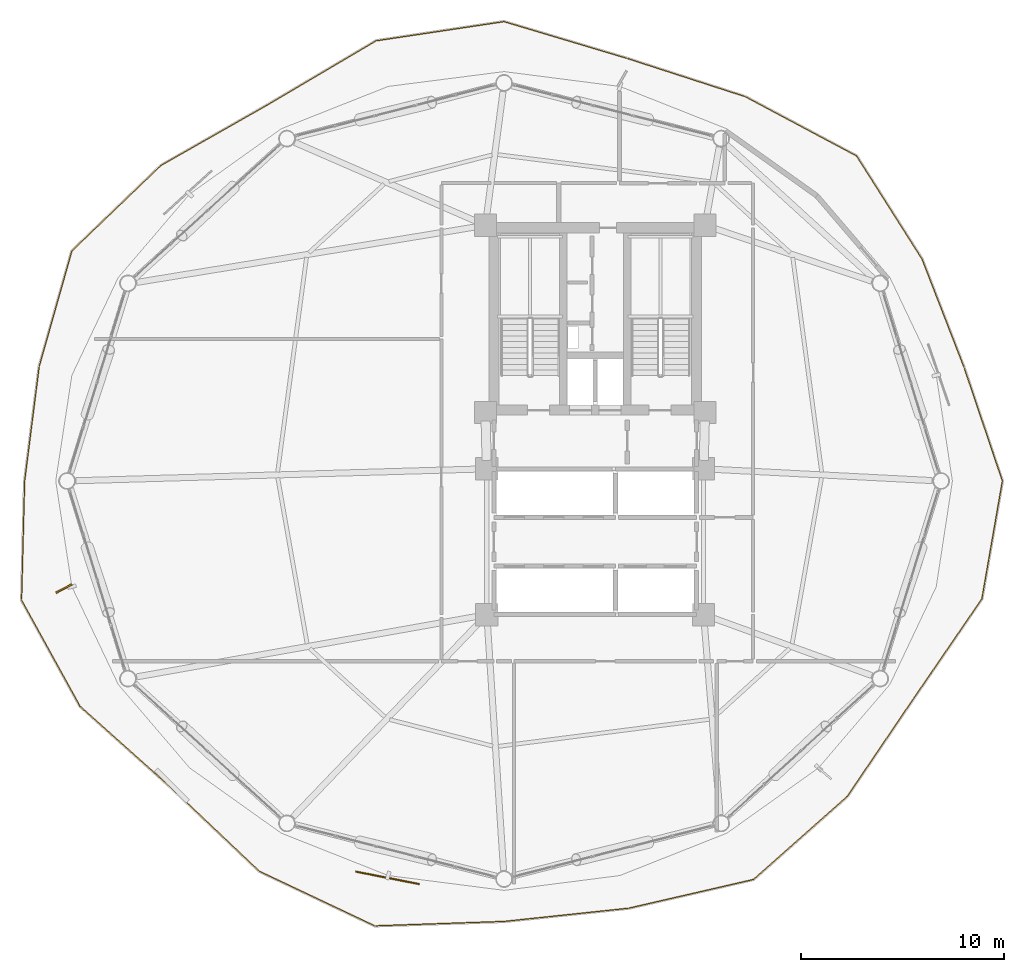
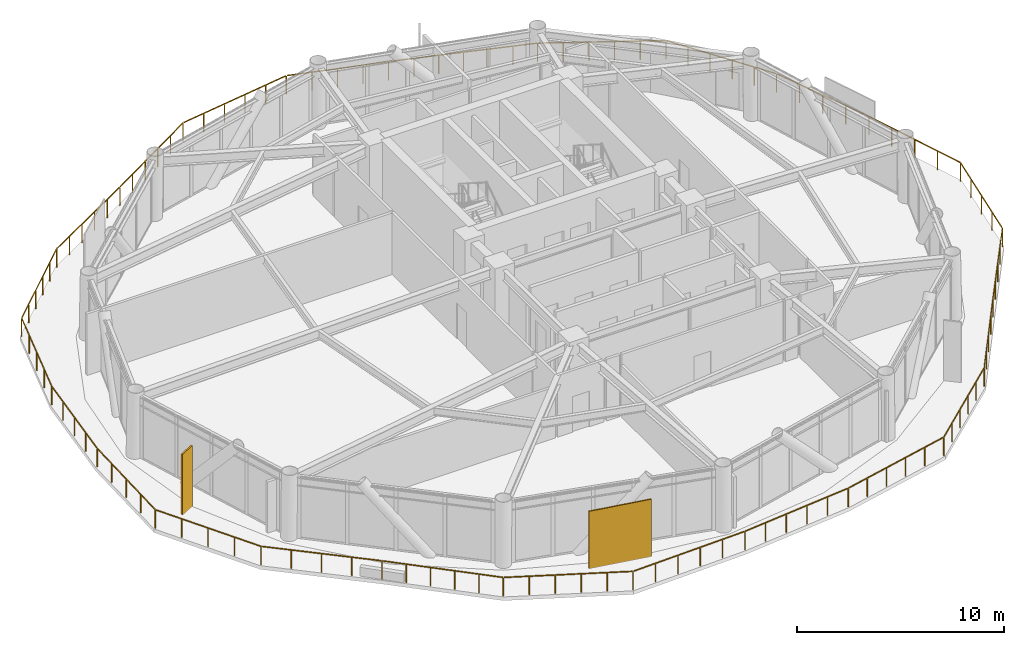
# One storey, part 22 of 24: 2 shading devices, 1 railing.
"""IFC4 building model written with IfcOpenShell, lengths in metres."""

from ifc_helpers import new_model, si_unit, direction, frame, origin, origin_2d, place, context, subcontext, project, spatial, rectangle, extrude, source, transform, mapped, material, type_object, type_shapes, element, save


model = new_model("IFC4")

# Units and contexts
model_context = context("Model", 3, precision=1e-05, world=origin(), true_north=direction((0.0, 1.0)))
body_context = subcontext(model_context, "Body", "Model", "MODEL_VIEW")
ifc_project = project(units=[si_unit("LENGTHUNIT", "METRE"), si_unit("AREAUNIT", "SQUARE_METRE"), si_unit("VOLUMEUNIT", "CUBIC_METRE"), si_unit("PLANEANGLEUNIT", "RADIAN"), si_unit("MASSUNIT", "GRAM", prefix="KILO")], contexts=[model_context])

# Site, building, storey
site_placement = place(None, origin())
site = spatial("IfcSite", under=ifc_project, at=site_placement, CompositionType="ELEMENT")
building_placement = place(site_placement, origin())
building = spatial("IfcBuilding", under=site, at=building_placement, Name="Varnakorn Sky Granary", CompositionType="ELEMENT")
storey_placement = place(building_placement, frame((0.0, 0.0, 103.199951171875)))
storey = spatial("IfcBuildingStorey", under=building, at=storey_placement, Name="L25", CompositionType="ELEMENT", Elevation=103.199951171875)

# Railing
ifc_material = material(Name="Anodised Bronze Aluminium Alloy 6063-T6", Category="aluminium")
railing_type = type_object("IfcRailingType", Name="RL-BAL-1120", PredefinedType="BALUSTRADE", material=ifc_material)
railing_placement = place(storey_placement, frame((23.099609375, 0.0, 0.0)))
element("IfcRailing", 1, at=railing_placement, inside=storey, type_object=railing_type, Name="Wavy Growing Deck Guard Balustrade L25", PredefinedType="BALUSTRADE", context=body_context, shape_type="SweptSolid", body=[
    extrude(rectangle(XDim=0.048095703125, YDim=0.048095703125, at=origin_2d()), frame((-0.009033203125, 0.026611328125, 1.09619140625), z_axis=(-0.319515788757, 0.947580952075, 0.0), x_axis=(-0.947580952075, -0.319515788757, 0.0)), (0.0, 0.0, 1.0), 5.843505859375),
    extrude(rectangle(XDim=0.048095703125, YDim=0.048095703125, at=origin_2d()), frame((-1.89501953125, 5.616455078125, 1.09619140625), z_axis=(-0.36168442428, 0.932300583092, 0.0), x_axis=(-0.932300583092, -0.36168442428, 0.0)), (0.0, 0.0, 1.0), 5.69775390625),
    extrude(rectangle(XDim=0.048095703125, YDim=0.048095703125, at=origin_2d()), frame((-3.98095703125, 10.978271484375, 1.09619140625), z_axis=(-0.535848303408, 0.844314275454, 0.0), x_axis=(-0.844314275454, -0.535848303408, 0.0)), (0.0, 0.0, 1.0), 5.97509765625),
    extrude(rectangle(XDim=0.048095703125, YDim=0.048095703125, at=origin_2d()), frame((-7.222412109375, 16.059814453125, 1.09619140625), z_axis=(-0.882608104075, 0.470109492162, 0.0), x_axis=(-0.470109492162, -0.882608104075, 0.0)), (0.0, 0.0, 1.0), 6.1650390625),
    extrude(rectangle(XDim=0.048095703125, YDim=0.048095703125, at=origin_2d()), frame((-12.715087890625, 18.979736328125, 1.09619140625), z_axis=(-0.951351417743, 0.308107903111, 0.0), x_axis=(-0.308107903111, -0.951351417743, 0.0)), (0.0, 0.0, 1.0), 6.068359375),
    extrude(rectangle(XDim=0.048095703125, YDim=0.048095703125, at=origin_2d()), frame((-18.541748046875, 20.8662109375, 1.09619140625), z_axis=(-0.958120981565, 0.286363727949, 0.0), x_axis=(-0.286363727949, -0.958120981565, 0.0)), (0.0, 0.0, 1.0), 6.294677734375),
    extrude(rectangle(XDim=0.048095703125, YDim=0.048095703125, at=origin_2d()), frame((-24.627197265625, 22.672607421875, 1.09619140625), z_axis=(-0.988935511961, -0.148346058868, 0.0), x_axis=(0.148346058868, -0.988935511961, 0.0)), (0.0, 0.0, 1.0), 6.332763671875),
    extrude(rectangle(XDim=0.048095703125, YDim=0.048095703125, at=origin_2d()), frame((-30.94189453125, 21.71484375, 1.09619140625), z_axis=(-0.861263762866, -0.508158174956, 0.0), x_axis=(0.508158174956, -0.861263762866, 0.0)), (0.0, 0.0, 1.0), 6.166748046875),
    extrude(rectangle(XDim=0.048095703125, YDim=0.048095703125, at=origin_2d()), frame((-36.301513671875, 18.552978515625, 1.09619140625), z_axis=(-0.86947035163, -0.493985128962, 0.0), x_axis=(0.493985128962, -0.86947035163, 0.0)), (0.0, 0.0, 1.0), 5.990966796875),
    extrude(rectangle(XDim=0.048095703125, YDim=0.048095703125, at=origin_2d()), frame((-41.554931640625, 15.560546875, 1.09619140625), z_axis=(-0.721513749871, -0.692400107414, 0.0), x_axis=(0.692400107414, -0.721513749871, 0.0)), (0.0, 0.0, 1.0), 6.04052734375),
    extrude(rectangle(XDim=0.048095703125, YDim=0.048095703125, at=origin_2d()), frame((-45.94091796875, 11.331787109375, 1.09619140625), z_axis=(-0.272229684903, -0.962232299737, 0.0), x_axis=(0.962232299737, -0.272229684903, 0.0)), (0.0, 0.0, 1.0), 5.873779296875),
    extrude(rectangle(XDim=0.048095703125, YDim=0.048095703125, at=origin_2d()), frame((-47.551025390625, 5.625, 1.09619140625), z_axis=(-0.126048834705, -0.992024037647, 0.0), x_axis=(0.992024037647, -0.126048834705, 0.0)), (0.0, 0.0, 1.0), 5.642333984375),
    extrude(rectangle(XDim=0.048095703125, YDim=0.048095703125, at=origin_2d()), frame((-48.2666015625, -0.028076171875, 1.09619140625), z_axis=(-0.02591414797, -0.999664172077, 0.0), x_axis=(0.999664172077, -0.02591414797, 0.0)), (0.0, 0.0, 1.0), 5.832275390625),
    extrude(rectangle(XDim=0.048095703125, YDim=0.048095703125, at=origin_2d()), frame((-48.405029296875, -5.91064453125, 1.09619140625), z_axis=(0.482920924261, -0.875663965749, 0.0), x_axis=(0.875663965749, 0.482920924261, 0.0)), (0.0, 0.0, 1.0), 5.92724609375),
    extrude(rectangle(XDim=0.048095703125, YDim=0.048095703125, at=origin_2d()), frame((-45.508056640625, -11.14404296875, 1.09619140625), z_axis=(0.74555602561, -0.666442955306, 0.0), x_axis=(0.666442955306, 0.74555602561, 0.0)), (0.0, 0.0, 1.0), 5.927734375),
    extrude(rectangle(XDim=0.048095703125, YDim=0.048095703125, at=origin_2d()), frame((-41.047607421875, -15.132568359375, 1.09619140625), z_axis=(0.726121516587, -0.687566391812, 0.0), x_axis=(0.687566391812, 0.726121516587, 0.0)), (0.0, 0.0, 1.0), 5.98486328125),
    extrude(rectangle(XDim=0.048095703125, YDim=0.048095703125, at=origin_2d()), frame((-36.656005859375, -19.27880859375, 1.09619140625), z_axis=(0.904037178192, -0.427453834286, 0.0), x_axis=(0.427453834286, 0.904037178192, 0.0)), (0.0, 0.0, 1.0), 6.25),
    extrude(rectangle(XDim=0.048095703125, YDim=0.048095703125, at=origin_2d()), frame((-30.952392578125, -21.96142578125, 1.09619140625), z_axis=(0.999411572191, 0.034300282379, 0.0), x_axis=(-0.034300282379, 0.999411572191, 0.0)), (0.0, 0.0, 1.0), 6.32861328125),
    extrude(rectangle(XDim=0.048095703125, YDim=0.048095703125, at=origin_2d()), frame((-24.57177734375, -21.740478515625, 1.09619140625), z_axis=(0.994424655599, 0.105449534551, 0.0), x_axis=(-0.105449534551, 0.994424655599, 0.0)), (0.0, 0.0, 1.0), 6.125732421875),
    extrude(rectangle(XDim=0.048095703125, YDim=0.048095703125, at=origin_2d()), frame((-18.425048828125, -21.085205078125, 1.09619140625), z_axis=(0.974493809375, 0.224414383429, 0.0), x_axis=(-0.224414383429, 0.974493809375, 0.0)), (0.0, 0.0, 1.0), 6.2734375),
    extrude(rectangle(XDim=0.048095703125, YDim=0.048095703125, at=origin_2d()), frame((-12.263427734375, -19.652587890625, 1.09619140625), z_axis=(0.7486347444, 0.662982669062, 0.0), x_axis=(-0.662982669062, 0.7486347444, 0.0)), (0.0, 0.0, 1.0), 6.114990234375),
    extrude(rectangle(XDim=0.048095703125, YDim=0.048095703125, at=origin_2d()), frame((-7.64892578125, -15.556640625, 1.09619140625), z_axis=(0.56120949372, 0.827673790909, 0.0), x_axis=(-0.827673790909, 0.56120949372, 0.0)), (0.0, 0.0, 1.0), 5.814208984375),
    extrude(rectangle(XDim=0.048095703125, YDim=0.048095703125, at=origin_2d()), frame((-4.354248046875, -10.697998046875, 1.09619140625), z_axis=(0.56527341339, 0.824903611408, 0.0), x_axis=(-0.824903611408, 0.56527341339, 0.0)), (0.0, 0.0, 1.0), 5.88134765625),
    extrude(rectangle(XDim=0.048095703125, YDim=0.048095703125, at=origin_2d()), frame((-1.009033203125, -5.7958984375, 1.09619140625), z_axis=(0.171527675351, 0.985179301746, 0.0), x_axis=(-0.985179301746, 0.171527675351, 0.0)), (0.0, 0.0, 1.0), 5.85498046875),
    extrude(rectangle(XDim=0.0419921875, YDim=0.0419921875, at=origin_2d()), origin(), (0.0, 0.0, 1.0), 1.068115234375),
    extrude(rectangle(XDim=0.0419921875, YDim=0.0419921875, at=origin_2d()), frame((-0.47119140625, 1.3974609375, 0.0)), (0.0, 0.0, 1.0), 1.068115234375),
    extrude(rectangle(XDim=0.0419921875, YDim=0.0419921875, at=origin_2d()), frame((-0.9423828125, 2.795166015625, 0.0)), (0.0, 0.0, 1.0), 1.068115234375),
    extrude(rectangle(XDim=0.0419921875, YDim=0.0419921875, at=origin_2d()), frame((-1.413818359375, 4.19287109375, 0.0)), (0.0, 0.0, 1.0), 1.068115234375),
    extrude(rectangle(XDim=0.0419921875, YDim=0.0419921875, at=origin_2d()), frame((-1.885009765625, 5.59033203125, 0.0)), (0.0, 0.0, 1.0), 1.068115234375),
    extrude(rectangle(XDim=0.0419921875, YDim=0.0419921875, at=origin_2d()), frame((-2.4052734375, 6.931396484375, 0.0)), (0.0, 0.0, 1.0), 1.068115234375),
    extrude(rectangle(XDim=0.0419921875, YDim=0.0419921875, at=origin_2d()), frame((-2.925537109375, 8.2724609375, 0.0)), (0.0, 0.0, 1.0), 1.068115234375),
    extrude(rectangle(XDim=0.0419921875, YDim=0.0419921875, at=origin_2d()), frame((-3.44580078125, 9.613525390625, 0.0)), (0.0, 0.0, 1.0), 1.068115234375),
    extrude(rectangle(XDim=0.0419921875, YDim=0.0419921875, at=origin_2d()), frame((-3.966064453125, 10.95458984375, 0.0)), (0.0, 0.0, 1.0), 1.068115234375),
    extrude(rectangle(XDim=0.0419921875, YDim=0.0419921875, at=origin_2d()), frame((-4.6123046875, 11.972900390625, 0.0)), (0.0, 0.0, 1.0), 1.068115234375),
    extrude(rectangle(XDim=0.0419921875, YDim=0.0419921875, at=origin_2d()), frame((-5.2587890625, 12.991455078125, 0.0)), (0.0, 0.0, 1.0), 1.068115234375),
    extrude(rectangle(XDim=0.0419921875, YDim=0.0419921875, at=origin_2d()), frame((-5.905029296875, 14.009765625, 0.0)), (0.0, 0.0, 1.0), 1.068115234375),
    extrude(rectangle(XDim=0.0419921875, YDim=0.0419921875, at=origin_2d()), frame((-6.551513671875, 15.0283203125, 0.0)), (0.0, 0.0, 1.0), 1.068115234375),
    extrude(rectangle(XDim=0.0419921875, YDim=0.0419921875, at=origin_2d()), frame((-7.19775390625, 16.046630859375, 0.0)), (0.0, 0.0, 1.0), 1.068115234375),
    extrude(rectangle(XDim=0.0419921875, YDim=0.0419921875, at=origin_2d()), frame((-8.2958984375, 16.631591796875, 0.0)), (0.0, 0.0, 1.0), 1.068115234375),
    extrude(rectangle(XDim=0.0419921875, YDim=0.0419921875, at=origin_2d()), frame((-9.39404296875, 17.216552734375, 0.0)), (0.0, 0.0, 1.0), 1.068115234375),
    extrude(rectangle(XDim=0.0419921875, YDim=0.0419921875, at=origin_2d()), frame((-10.4921875, 17.80126953125, 0.0)), (0.0, 0.0, 1.0), 1.068115234375),
    extrude(rectangle(XDim=0.0419921875, YDim=0.0419921875, at=origin_2d()), frame((-11.59033203125, 18.38623046875, 0.0)), (0.0, 0.0, 1.0), 1.068115234375),
    extrude(rectangle(XDim=0.0419921875, YDim=0.0419921875, at=origin_2d()), frame((-12.6884765625, 18.97119140625, 0.0)), (0.0, 0.0, 1.0), 1.068115234375),
    extrude(rectangle(XDim=0.0419921875, YDim=0.0419921875, at=origin_2d()), frame((-13.853759765625, 19.3486328125, 0.0)), (0.0, 0.0, 1.0), 1.068115234375),
    extrude(rectangle(XDim=0.0419921875, YDim=0.0419921875, at=origin_2d()), frame((-15.01904296875, 19.72607421875, 0.0)), (0.0, 0.0, 1.0), 1.068115234375),
    extrude(rectangle(XDim=0.0419921875, YDim=0.0419921875, at=origin_2d()), frame((-16.184326171875, 20.103271484375, 0.0)), (0.0, 0.0, 1.0), 1.068115234375),
    extrude(rectangle(XDim=0.0419921875, YDim=0.0419921875, at=origin_2d()), frame((-17.349609375, 20.480712890625, 0.0)), (0.0, 0.0, 1.0), 1.068115234375),
    extrude(rectangle(XDim=0.0419921875, YDim=0.0419921875, at=origin_2d()), frame((-18.514892578125, 20.858154296875, 0.0)), (0.0, 0.0, 1.0), 1.068115234375),
    extrude(rectangle(XDim=0.0419921875, YDim=0.0419921875, at=origin_2d()), frame((-19.73193359375, 21.221923828125, 0.0)), (0.0, 0.0, 1.0), 1.068115234375),
    extrude(rectangle(XDim=0.0419921875, YDim=0.0419921875, at=origin_2d()), frame((-20.94873046875, 21.585693359375, 0.0)), (0.0, 0.0, 1.0), 1.068115234375),
    extrude(rectangle(XDim=0.0419921875, YDim=0.0419921875, at=origin_2d()), frame((-22.165771484375, 21.94921875, 0.0)), (0.0, 0.0, 1.0), 1.068115234375),
    extrude(rectangle(XDim=0.0419921875, YDim=0.0419921875, at=origin_2d()), frame((-23.382568359375, 22.31298828125, 0.0)), (0.0, 0.0, 1.0), 1.068115234375),
    extrude(rectangle(XDim=0.0419921875, YDim=0.0419921875, at=origin_2d()), frame((-24.599609375, 22.6767578125, 0.0)), (0.0, 0.0, 1.0), 1.068115234375),
    extrude(rectangle(XDim=0.0419921875, YDim=0.0419921875, at=origin_2d()), frame((-25.86328125, 22.4873046875, 0.0)), (0.0, 0.0, 1.0), 1.068115234375),
    extrude(rectangle(XDim=0.0419921875, YDim=0.0419921875, at=origin_2d()), frame((-27.126953125, 22.297607421875, 0.0)), (0.0, 0.0, 1.0), 1.068115234375),
    extrude(rectangle(XDim=0.0419921875, YDim=0.0419921875, at=origin_2d()), frame((-28.390380859375, 22.108154296875, 0.0)), (0.0, 0.0, 1.0), 1.068115234375),
    extrude(rectangle(XDim=0.0419921875, YDim=0.0419921875, at=origin_2d()), frame((-29.654052734375, 21.91845703125, 0.0)), (0.0, 0.0, 1.0), 1.068115234375),
    extrude(rectangle(XDim=0.0419921875, YDim=0.0419921875, at=origin_2d()), frame((-30.917724609375, 21.72900390625, 0.0)), (0.0, 0.0, 1.0), 1.068115234375),
    extrude(rectangle(XDim=0.0419921875, YDim=0.0419921875, at=origin_2d()), frame((-31.989501953125, 21.0966796875, 0.0)), (0.0, 0.0, 1.0), 1.068115234375),
    extrude(rectangle(XDim=0.0419921875, YDim=0.0419921875, at=origin_2d()), frame((-33.0615234375, 20.464111328125, 0.0)), (0.0, 0.0, 1.0), 1.068115234375),
    extrude(rectangle(XDim=0.0419921875, YDim=0.0419921875, at=origin_2d()), frame((-34.13330078125, 19.831787109375, 0.0)), (0.0, 0.0, 1.0), 1.068115234375),
    extrude(rectangle(XDim=0.0419921875, YDim=0.0419921875, at=origin_2d()), frame((-35.205322265625, 19.19921875, 0.0)), (0.0, 0.0, 1.0), 1.068115234375),
    extrude(rectangle(XDim=0.0419921875, YDim=0.0419921875, at=origin_2d()), frame((-36.277099609375, 18.56689453125, 0.0)), (0.0, 0.0, 1.0), 1.068115234375),
    extrude(rectangle(XDim=0.0419921875, YDim=0.0419921875, at=origin_2d()), frame((-37.32861328125, 17.969482421875, 0.0)), (0.0, 0.0, 1.0), 1.068115234375),
    extrude(rectangle(XDim=0.0419921875, YDim=0.0419921875, at=origin_2d()), frame((-38.380126953125, 17.3720703125, 0.0)), (0.0, 0.0, 1.0), 1.068115234375),
    extrude(rectangle(XDim=0.0419921875, YDim=0.0419921875, at=origin_2d()), frame((-39.431640625, 16.774658203125, 0.0)), (0.0, 0.0, 1.0), 1.068115234375),
    extrude(rectangle(XDim=0.0419921875, YDim=0.0419921875, at=origin_2d()), frame((-40.483154296875, 16.17724609375, 0.0)), (0.0, 0.0, 1.0), 1.068115234375),
    extrude(rectangle(XDim=0.0419921875, YDim=0.0419921875, at=origin_2d()), frame((-41.53466796875, 15.579833984375, 0.0)), (0.0, 0.0, 1.0), 1.068115234375),
    extrude(rectangle(XDim=0.0419921875, YDim=0.0419921875, at=origin_2d()), frame((-42.414306640625, 14.735595703125, 0.0)), (0.0, 0.0, 1.0), 1.068115234375),
    extrude(rectangle(XDim=0.0419921875, YDim=0.0419921875, at=origin_2d()), frame((-43.294189453125, 13.891357421875, 0.0)), (0.0, 0.0, 1.0), 1.068115234375),
    extrude(rectangle(XDim=0.0419921875, YDim=0.0419921875, at=origin_2d()), frame((-44.173828125, 13.047119140625, 0.0)), (0.0, 0.0, 1.0), 1.068115234375),
    extrude(rectangle(XDim=0.0419921875, YDim=0.0419921875, at=origin_2d()), frame((-45.0537109375, 12.202880859375, 0.0)), (0.0, 0.0, 1.0), 1.068115234375),
    extrude(rectangle(XDim=0.0419921875, YDim=0.0419921875, at=origin_2d()), frame((-45.933349609375, 11.358642578125, 0.0)), (0.0, 0.0, 1.0), 1.068115234375),
    extrude(rectangle(XDim=0.0419921875, YDim=0.0419921875, at=origin_2d()), frame((-46.3369140625, 9.93212890625, 0.0)), (0.0, 0.0, 1.0), 1.068115234375),
    extrude(rectangle(XDim=0.0419921875, YDim=0.0419921875, at=origin_2d()), frame((-46.740478515625, 8.505859375, 0.0)), (0.0, 0.0, 1.0), 1.068115234375),
    extrude(rectangle(XDim=0.0419921875, YDim=0.0419921875, at=origin_2d()), frame((-47.14404296875, 7.079345703125, 0.0)), (0.0, 0.0, 1.0), 1.068115234375),
    extrude(rectangle(XDim=0.0419921875, YDim=0.0419921875, at=origin_2d()), frame((-47.547607421875, 5.65283203125, 0.0)), (0.0, 0.0, 1.0), 1.068115234375),
    extrude(rectangle(XDim=0.0419921875, YDim=0.0419921875, at=origin_2d()), frame((-47.72705078125, 4.23974609375, 0.0)), (0.0, 0.0, 1.0), 1.068115234375),
    extrude(rectangle(XDim=0.0419921875, YDim=0.0419921875, at=origin_2d()), frame((-47.90673828125, 2.826416015625, 0.0)), (0.0, 0.0, 1.0), 1.068115234375),
    extrude(rectangle(XDim=0.0419921875, YDim=0.0419921875, at=origin_2d()), frame((-48.08642578125, 1.4130859375, 0.0)), (0.0, 0.0, 1.0), 1.068115234375),
    extrude(rectangle(XDim=0.0419921875, YDim=0.0419921875, at=origin_2d()), frame((-48.265869140625, 0.0, 0.0)), (0.0, 0.0, 1.0), 1.068115234375),
    extrude(rectangle(XDim=0.0419921875, YDim=0.0419921875, at=origin_2d()), frame((-48.303955078125, -1.4716796875, 0.0)), (0.0, 0.0, 1.0), 1.068115234375),
    extrude(rectangle(XDim=0.0419921875, YDim=0.0419921875, at=origin_2d()), frame((-48.34228515625, -2.943115234375, 0.0)), (0.0, 0.0, 1.0), 1.068115234375),
    extrude(rectangle(XDim=0.0419921875, YDim=0.0419921875, at=origin_2d()), frame((-48.38037109375, -4.41455078125, 0.0)), (0.0, 0.0, 1.0), 1.068115234375),
    extrude(rectangle(XDim=0.0419921875, YDim=0.0419921875, at=origin_2d()), frame((-48.41845703125, -5.88623046875, 0.0)), (0.0, 0.0, 1.0), 1.068115234375),
    extrude(rectangle(XDim=0.0419921875, YDim=0.0419921875, at=origin_2d()), frame((-47.696044921875, -7.196044921875, 0.0)), (0.0, 0.0, 1.0), 1.068115234375),
    extrude(rectangle(XDim=0.0419921875, YDim=0.0419921875, at=origin_2d()), frame((-46.9736328125, -8.505859375, 0.0)), (0.0, 0.0, 1.0), 1.068115234375),
    extrude(rectangle(XDim=0.0419921875, YDim=0.0419921875, at=origin_2d()), frame((-46.25146484375, -9.815673828125, 0.0)), (0.0, 0.0, 1.0), 1.068115234375),
    extrude(rectangle(XDim=0.0419921875, YDim=0.0419921875, at=origin_2d()), frame((-45.529052734375, -11.12548828125, 0.0)), (0.0, 0.0, 1.0), 1.068115234375),
    extrude(rectangle(XDim=0.0419921875, YDim=0.0419921875, at=origin_2d()), frame((-44.413818359375, -12.12255859375, 0.0)), (0.0, 0.0, 1.0), 1.068115234375),
    extrude(rectangle(XDim=0.0419921875, YDim=0.0419921875, at=origin_2d()), frame((-43.29833984375, -13.119384765625, 0.0)), (0.0, 0.0, 1.0), 1.068115234375),
    extrude(rectangle(XDim=0.0419921875, YDim=0.0419921875, at=origin_2d()), frame((-42.18310546875, -14.1162109375, 0.0)), (0.0, 0.0, 1.0), 1.068115234375),
    extrude(rectangle(XDim=0.0419921875, YDim=0.0419921875, at=origin_2d()), frame((-41.06787109375, -15.11328125, 0.0)), (0.0, 0.0, 1.0), 1.068115234375),
    extrude(rectangle(XDim=0.0419921875, YDim=0.0419921875, at=origin_2d()), frame((-40.190673828125, -15.944091796875, 0.0)), (0.0, 0.0, 1.0), 1.068115234375),
    extrude(rectangle(XDim=0.0419921875, YDim=0.0419921875, at=origin_2d()), frame((-39.313232421875, -16.774658203125, 0.0)), (0.0, 0.0, 1.0), 1.068115234375),
    extrude(rectangle(XDim=0.0419921875, YDim=0.0419921875, at=origin_2d()), frame((-38.43603515625, -17.60546875, 0.0)), (0.0, 0.0, 1.0), 1.068115234375),
    extrude(rectangle(XDim=0.0419921875, YDim=0.0419921875, at=origin_2d()), frame((-37.55859375, -18.43603515625, 0.0)), (0.0, 0.0, 1.0), 1.068115234375),
    extrude(rectangle(XDim=0.0419921875, YDim=0.0419921875, at=origin_2d()), frame((-36.681396484375, -19.266845703125, 0.0)), (0.0, 0.0, 1.0), 1.068115234375),
    extrude(rectangle(XDim=0.0419921875, YDim=0.0419921875, at=origin_2d()), frame((-35.541259765625, -19.805908203125, 0.0)), (0.0, 0.0, 1.0), 1.068115234375),
    extrude(rectangle(XDim=0.0419921875, YDim=0.0419921875, at=origin_2d()), frame((-34.401123046875, -20.344970703125, 0.0)), (0.0, 0.0, 1.0), 1.068115234375),
    extrude(rectangle(XDim=0.0419921875, YDim=0.0419921875, at=origin_2d()), frame((-33.2607421875, -20.88427734375, 0.0)), (0.0, 0.0, 1.0), 1.068115234375),
    extrude(rectangle(XDim=0.0419921875, YDim=0.0419921875, at=origin_2d()), frame((-32.12060546875, -21.42333984375, 0.0)), (0.0, 0.0, 1.0), 1.068115234375),
    extrude(rectangle(XDim=0.0419921875, YDim=0.0419921875, at=origin_2d()), frame((-30.98046875, -21.96240234375, 0.0)), (0.0, 0.0, 1.0), 1.068115234375),
    extrude(rectangle(XDim=0.0419921875, YDim=0.0419921875, at=origin_2d()), frame((-29.704345703125, -21.918701171875, 0.0)), (0.0, 0.0, 1.0), 1.068115234375),
    extrude(rectangle(XDim=0.0419921875, YDim=0.0419921875, at=origin_2d()), frame((-28.42822265625, -21.874755859375, 0.0)), (0.0, 0.0, 1.0), 1.068115234375),
    extrude(rectangle(XDim=0.0419921875, YDim=0.0419921875, at=origin_2d()), frame((-27.15185546875, -21.8310546875, 0.0)), (0.0, 0.0, 1.0), 1.068115234375),
    extrude(rectangle(XDim=0.0419921875, YDim=0.0419921875, at=origin_2d()), frame((-25.875732421875, -21.787109375, 0.0)), (0.0, 0.0, 1.0), 1.068115234375),
    extrude(rectangle(XDim=0.0419921875, YDim=0.0419921875, at=origin_2d()), frame((-24.599609375, -21.743408203125, 0.0)), (0.0, 0.0, 1.0), 1.068115234375),
    extrude(rectangle(XDim=0.0419921875, YDim=0.0419921875, at=origin_2d()), frame((-23.3701171875, -21.613037109375, 0.0)), (0.0, 0.0, 1.0), 1.068115234375),
    extrude(rectangle(XDim=0.0419921875, YDim=0.0419921875, at=origin_2d()), frame((-22.140625, -21.482666015625, 0.0)), (0.0, 0.0, 1.0), 1.068115234375),
    extrude(rectangle(XDim=0.0419921875, YDim=0.0419921875, at=origin_2d()), frame((-20.911376953125, -21.352294921875, 0.0)), (0.0, 0.0, 1.0), 1.068115234375),
    extrude(rectangle(XDim=0.0419921875, YDim=0.0419921875, at=origin_2d()), frame((-19.681884765625, -21.221923828125, 0.0)), (0.0, 0.0, 1.0), 1.068115234375),
    extrude(rectangle(XDim=0.0419921875, YDim=0.0419921875, at=origin_2d()), frame((-18.452392578125, -21.091552734375, 0.0)), (0.0, 0.0, 1.0), 1.068115234375),
    extrude(rectangle(XDim=0.0419921875, YDim=0.0419921875, at=origin_2d()), frame((-17.21875, -20.807373046875, 0.0)), (0.0, 0.0, 1.0), 1.068115234375),
    extrude(rectangle(XDim=0.0419921875, YDim=0.0419921875, at=origin_2d()), frame((-15.985107421875, -20.5234375, 0.0)), (0.0, 0.0, 1.0), 1.068115234375),
    extrude(rectangle(XDim=0.0419921875, YDim=0.0419921875, at=origin_2d()), frame((-14.751708984375, -20.2392578125, 0.0)), (0.0, 0.0, 1.0), 1.068115234375),
    extrude(rectangle(XDim=0.0419921875, YDim=0.0419921875, at=origin_2d()), frame((-13.51806640625, -19.955322265625, 0.0)), (0.0, 0.0, 1.0), 1.068115234375),
    extrude(rectangle(XDim=0.0419921875, YDim=0.0419921875, at=origin_2d()), frame((-12.284423828125, -19.671142578125, 0.0)), (0.0, 0.0, 1.0), 1.068115234375),
    extrude(rectangle(XDim=0.0419921875, YDim=0.0419921875, at=origin_2d()), frame((-11.3603515625, -18.852783203125, 0.0)), (0.0, 0.0, 1.0), 1.068115234375),
    extrude(rectangle(XDim=0.0419921875, YDim=0.0419921875, at=origin_2d()), frame((-10.4365234375, -18.03466796875, 0.0)), (0.0, 0.0, 1.0), 1.068115234375),
    extrude(rectangle(XDim=0.0419921875, YDim=0.0419921875, at=origin_2d()), frame((-9.512451171875, -17.21630859375, 0.0)), (0.0, 0.0, 1.0), 1.068115234375),
    extrude(rectangle(XDim=0.0419921875, YDim=0.0419921875, at=origin_2d()), frame((-8.588623046875, -16.398193359375, 0.0)), (0.0, 0.0, 1.0), 1.068115234375),
    extrude(rectangle(XDim=0.0419921875, YDim=0.0419921875, at=origin_2d()), frame((-7.66455078125, -15.579833984375, 0.0)), (0.0, 0.0, 1.0), 1.068115234375),
    extrude(rectangle(XDim=0.0419921875, YDim=0.0419921875, at=origin_2d()), frame((-6.8408203125, -14.365234375, 0.0)), (0.0, 0.0, 1.0), 1.068115234375),
    extrude(rectangle(XDim=0.0419921875, YDim=0.0419921875, at=origin_2d()), frame((-6.017333984375, -13.150390625, 0.0)), (0.0, 0.0, 1.0), 1.068115234375),
    extrude(rectangle(XDim=0.0419921875, YDim=0.0419921875, at=origin_2d()), frame((-5.19384765625, -11.935791015625, 0.0)), (0.0, 0.0, 1.0), 1.068115234375),
    extrude(rectangle(XDim=0.0419921875, YDim=0.0419921875, at=origin_2d()), frame((-4.3701171875, -10.72119140625, 0.0)), (0.0, 0.0, 1.0), 1.068115234375),
    extrude(rectangle(XDim=0.0419921875, YDim=0.0419921875, at=origin_2d()), frame((-3.531005859375, -9.496826171875, 0.0)), (0.0, 0.0, 1.0), 1.068115234375),
    extrude(rectangle(XDim=0.0419921875, YDim=0.0419921875, at=origin_2d()), frame((-2.69189453125, -8.2724609375, 0.0)), (0.0, 0.0, 1.0), 1.068115234375),
    extrude(rectangle(XDim=0.0419921875, YDim=0.0419921875, at=origin_2d()), frame((-1.85302734375, -7.0478515625, 0.0)), (0.0, 0.0, 1.0), 1.068115234375),
    extrude(rectangle(XDim=0.0419921875, YDim=0.0419921875, at=origin_2d()), frame((-1.013916015625, -5.823486328125, 0.0)), (0.0, 0.0, 1.0), 1.068115234375),
    extrude(rectangle(XDim=0.0419921875, YDim=0.0419921875, at=origin_2d()), frame((-0.760498046875, -4.36767578125, 0.0)), (0.0, 0.0, 1.0), 1.068115234375),
    extrude(rectangle(XDim=0.0419921875, YDim=0.0419921875, at=origin_2d()), frame((-0.5068359375, -2.91162109375, 0.0)), (0.0, 0.0, 1.0), 1.068115234375),
    extrude(rectangle(XDim=0.0419921875, YDim=0.0419921875, at=origin_2d()), frame((-0.25341796875, -1.455810546875, 0.0)), (0.0, 0.0, 1.0), 1.068115234375),
])

# Shading devices
shading_device_type_1 = type_object("IfcShadingDeviceType", Name="SH-FIN-01", PredefinedType="USERDEFINED", material=ifc_material)
shared_shape_1 = source(origin(), body_context, "Body", "SweptSolid", [
    extrude(rectangle(XDim=0.0849609375, YDim=0.8798828125, at=origin_2d()), origin(), (0.0, 0.0, 1.0), 3.60009765625),
])
type_shapes(shading_device_type_1, [shared_shape_1])
shading_device_1_placement = place(storey_placement, frame((-23.224609375, -5.3115234375, -0.0400390625), z_axis=(0.0, 0.0, 1.0), x_axis=(0.468452528707, -0.883488669055, 0.0)))
element("IfcShadingDevice", 2, at=shading_device_1_placement, inside=storey, type_object=shading_device_type_1, Name="Bronze Solar-Tracking Vertical Blade FIN L25-07", ObjectType="FIN", PredefinedType="USERDEFINED", context=body_context, shape_type="MappedRepresentation", body=[
    mapped(shared_shape_1, transform((0.0, 0.0, 0.0), x_axis=(1.0, 0.0, 0.0), y_axis=(0.0, 1.0, 0.0), z_axis=(0.0, 0.0, 1.0), scale=1.0)),
])
shading_device_type_2 = type_object("IfcShadingDeviceType", Name="SH-SCR-01", PredefinedType="USERDEFINED", material=ifc_material)
shared_shape_2 = source(origin(), body_context, "Body", "SweptSolid", [
    extrude(rectangle(XDim=3.199951171875, YDim=0.06494140625, at=origin_2d()), origin(), (0.0, 0.0, 1.0), 3.39990234375),
])
type_shapes(shading_device_type_2, [shared_shape_2])
shading_device_2_placement = place(storey_placement, frame((-7.25341796875, -19.59228515625, -0.039794921875), z_axis=(0.0, 0.0, 1.0), x_axis=(0.98124219802, -0.192779015518, 0.0)))
element("IfcShadingDevice", 3, at=shading_device_2_placement, inside=storey, type_object=shading_device_type_2, Name="Perforated Bronze Solar Screen Panel SCREEN L25-09", ObjectType="SCREEN", PredefinedType="USERDEFINED", context=body_context, shape_type="MappedRepresentation", body=[
    mapped(shared_shape_2, transform((0.0, 0.0, 0.0), x_axis=(1.0, 0.0, 0.0), y_axis=(0.0, 1.0, 0.0), z_axis=(0.0, 0.0, 1.0), scale=1.0)),
])

save(model, "model.ifc")
